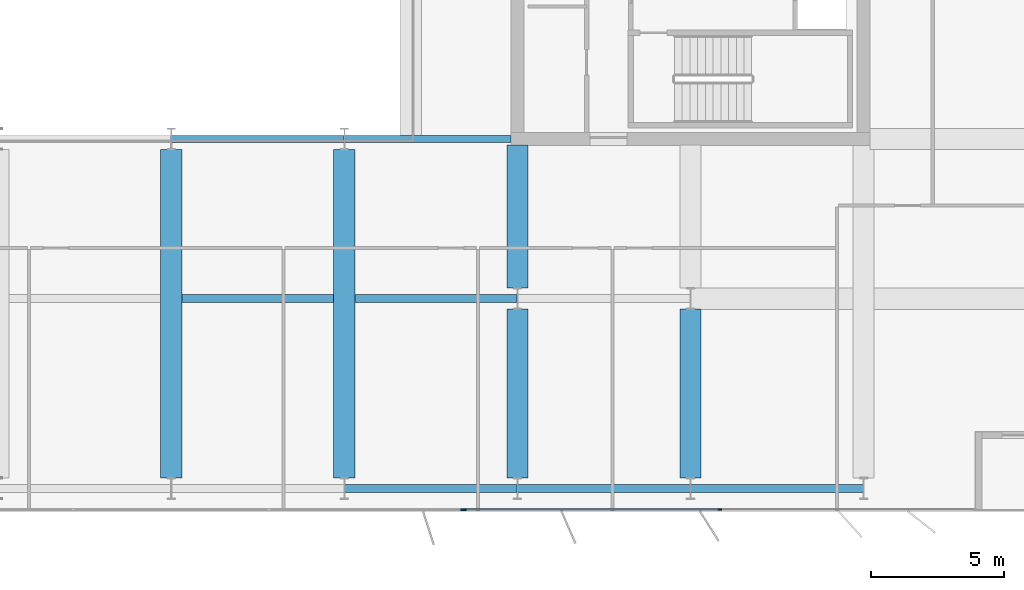
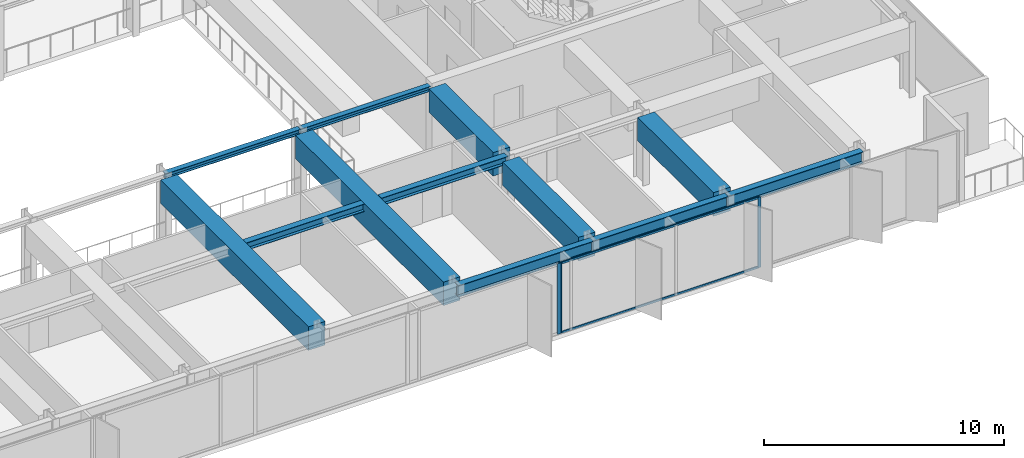
# One storey, part 7 of 24: 12 beams, 5 members, 2 elements without a shape of their own.
"""IFC4 building model written with IfcOpenShell, lengths in metres."""

from ifc_helpers import new_model, si_unit, direction, frame, origin, origin_2d, place, context, subcontext, project, spatial, rectangle, i_section, extrude, material, layer, layer_set, material_profile, profile_set, type_object, element, aggregate, save


model = new_model("IFC4")

# Units and contexts
model_context = context("Model", 3, precision=1e-05, world=origin(), true_north=direction((0.0, 1.0)))
body_context = subcontext(model_context, "Body", "Model", "MODEL_VIEW")
ifc_project = project(units=[si_unit("LENGTHUNIT", "METRE"), si_unit("AREAUNIT", "SQUARE_METRE"), si_unit("VOLUMEUNIT", "CUBIC_METRE"), si_unit("PLANEANGLEUNIT", "RADIAN"), si_unit("MASSUNIT", "GRAM", prefix="KILO")], contexts=[model_context])

# Site, building, storey
site_placement = place(None, origin())
site = spatial("IfcSite", under=ifc_project, at=site_placement, CompositionType="ELEMENT")
building_placement = place(site_placement, origin())
building = spatial("IfcBuilding", under=site, at=building_placement, Name="Putna Gate Headquarters", CompositionType="ELEMENT")
storey_placement = place(building_placement, frame((0.0, 0.0, 251.800048828125)))
storey = spatial("IfcBuildingStorey", under=building, at=storey_placement, Name="L63", CompositionType="ELEMENT", Elevation=251.800048828125)

# Beams
ifc_material_1 = material(Name="Steel S355J2", Category="steel")
ifc_material_profile_1 = material_profile(ifc_material_1, i_section(OverallWidth=0.260009765625, OverallDepth=0.260009765625, WebThickness=0.010009765625, FlangeThickness=0.017578125, at=origin_2d()), Name="Steel S355J2")
ifc_profile_set_1 = profile_set([ifc_material_profile_1], Name="Steel S355J2")
beam_type_1 = type_object("IfcBeamType", Name="BM-ATRIUM-HEB260", PredefinedType="BEAM", material=ifc_profile_set_1)
beam_1_placement = place(storey_placement, frame((39.006103515625, 19.0, 3.4580078125), z_axis=(1.0, 0.0, 0.0), x_axis=(0.0, 1.0, 0.0)))
element("IfcBeam", 1, at=beam_1_placement, inside=storey, type_object=beam_type_1, Name="L63 Atrium Edge Beam AS3", PredefinedType="BEAM", context=body_context, shape_type="SweptSolid", body=[
    extrude(i_section(OverallWidth=0.260009765625, OverallDepth=0.260009765625, WebThickness=0.010009765625, FlangeThickness=0.017578125, at=origin_2d()), origin(), (0.0, 0.0, 1.0), 6.48779296875),
])
beam_2_placement = place(storey_placement, frame((45.506103515625, 19.0, 3.4580078125), z_axis=(1.0, 0.0, 0.0), x_axis=(0.0, 1.0, 0.0)))
element("IfcBeam", 2, at=beam_2_placement, inside=storey, type_object=beam_type_1, Name="L63 Atrium Edge Beam AS4", PredefinedType="BEAM", context=body_context, shape_type="SweptSolid", body=[
    extrude(i_section(OverallWidth=0.260009765625, OverallDepth=0.260009765625, WebThickness=0.010009765625, FlangeThickness=0.017578125, at=origin_2d()), origin(), (0.0, 0.0, 1.0), 6.2587890625),
])
ifc_material_profile_2 = material_profile(ifc_material_1, i_section(OverallWidth=0.300048828125, OverallDepth=0.389892578125, WebThickness=0.010986328125, FlangeThickness=0.01904296875, at=origin_2d()), Name="Steel S355J2")
ifc_profile_set_2 = profile_set([ifc_material_profile_2], Name="Steel S355J2")
beam_type_2 = type_object("IfcBeamType", Name="BM-SEC-Z5-HEA400", PredefinedType="BEAM", material=ifc_profile_set_2)
beam_3_placement = place(storey_placement, frame((39.404052734375, 13.0, 3.39306640625), z_axis=(1.0, 0.0, 0.0), x_axis=(0.0, 1.0, 0.0)))
element("IfcBeam", 3, at=beam_3_placement, inside=storey, type_object=beam_type_2, Name="L63 South Secondary Beam 5", PredefinedType="BEAM", context=body_context, shape_type="SweptSolid", body=[
    extrude(i_section(OverallWidth=0.300048828125, OverallDepth=0.389892578125, WebThickness=0.010986328125, FlangeThickness=0.01904296875, at=origin_2d()), origin(), (0.0, 0.0, 1.0), 5.69189453125),
])
beam_4_placement = place(storey_placement, frame((45.904052734375, 13.0, 3.39306640625), z_axis=(1.0, 0.0, 0.0), x_axis=(0.0, 1.0, 0.0)))
element("IfcBeam", 4, at=beam_4_placement, inside=storey, type_object=beam_type_2, Name="L63 South Secondary Beam 6", PredefinedType="BEAM", context=body_context, shape_type="SweptSolid", body=[
    extrude(i_section(OverallWidth=0.300048828125, OverallDepth=0.389892578125, WebThickness=0.010986328125, FlangeThickness=0.01904296875, at=origin_2d()), origin(), (0.0, 0.0, 1.0), 6.08984375),
])
ifc_material_profile_3 = material_profile(ifc_material_1, i_section(OverallWidth=0.300048828125, OverallDepth=0.590087890625, WebThickness=0.012939453125, FlangeThickness=0.02490234375, at=origin_2d()), Name="Steel S355J2")
ifc_profile_set_3 = profile_set([ifc_material_profile_3], Name="Steel S355J2")
beam_type_3 = type_object("IfcBeamType", Name="BM-SPAN-Z4-HEA600", PredefinedType="SPANDREL", material=ifc_profile_set_3)
for number, where, z_axis, x_axis, name in (
    (5, (45.506103515625, 5.8798828125, 3.29296875), (1.0, 0.0, 0.0), (0.0, 1.0, 0.0), "L63 S Perimeter Spandrel 6"),
    (6, (52.006103515625, 5.8798828125, 3.29296875), (1.0, 0.0, 0.0), (0.0, 1.0, 0.0), "L63 S Perimeter Spandrel 7"),
    (7, (58.506103515625, 5.8798828125, 3.29296875), (1.0, 0.0, 0.0), (0.0, 1.0, 0.0), "L63 S Perimeter Spandrel 8"),
):
    element("IfcBeam", number, at=place(storey_placement, frame(where, z_axis=z_axis, x_axis=x_axis)), inside=storey, type_object=beam_type_3, Name=name, PredefinedType="SPANDREL", context=body_context, shape_type="SweptSolid", body=[
        extrude(i_section(OverallWidth=0.300048828125, OverallDepth=0.590087890625, WebThickness=0.012939453125, FlangeThickness=0.02490234375, at=origin_2d()), origin(), (0.0, 0.0, 1.0), 6.48779296875),
    ])
ifc_material_2 = material(Name="Concrete C50/60", Category="concrete")
ifc_material_profile_4 = material_profile(ifc_material_2, rectangle(XDim=0.800048828125, YDim=1.199951171875, at=origin_2d()), Name="Concrete C50/60")
ifc_profile_set_4 = profile_set([ifc_material_profile_4], Name="Concrete C50/60")
beam_type_4 = type_object("IfcBeamType", Name="BM-TG-RC1200", PredefinedType="USERDEFINED", material=ifc_profile_set_4)
for number, where, z_axis, x_axis, name in (
    (8, (39.0, 6.27490234375, 2.988037109375), (0.0, 1.0, 0.0), (-1.0, 0.0, 0.0), "L63 South Primary Girder X39"),
    (9, (45.5, 6.27490234375, 2.988037109375), (0.0, 1.0, 0.0), (-1.0, 0.0, 0.0), "L63 South Primary Girder X45"),
):
    element("IfcBeam", number, at=place(storey_placement, frame(where, z_axis=z_axis, x_axis=x_axis)), inside=storey, type_object=beam_type_4, Name=name, ObjectType="GIRDER", PredefinedType="USERDEFINED", context=body_context, shape_type="SweptSolid", body=[
        extrude(rectangle(XDim=0.800048828125, YDim=1.199951171875, at=origin_2d()), origin(), (0.0, 0.0, 1.0), 12.330078125),
    ])
beam_5_placement = place(storey_placement, frame((52.0, 6.27490234375, 2.988037109375), z_axis=(0.0, 1.0, 0.0), x_axis=(-1.0, 0.0, 0.0)))
element("IfcBeam", 10, at=beam_5_placement, inside=storey, type_object=beam_type_4, Name="L63 South Primary Girder X52-1", ObjectType="GIRDER", PredefinedType="USERDEFINED", context=body_context, shape_type="SweptSolid", body=[
    extrude(rectangle(XDim=0.800048828125, YDim=1.199951171875, at=origin_2d()), origin(), (0.0, 0.0, 1.0), 6.330078125),
])
beam_6_placement = place(storey_placement, frame((52.0, 13.39501953125, 2.988037109375), z_axis=(0.0, 1.0, 0.0), x_axis=(-1.0, 0.0, 0.0)))
element("IfcBeam", 11, at=beam_6_placement, inside=storey, type_object=beam_type_4, Name="L63 South Primary Girder X52-2", ObjectType="GIRDER", PredefinedType="USERDEFINED", context=body_context, shape_type="SweptSolid", body=[
    extrude(rectangle(XDim=0.800048828125, YDim=1.199951171875, at=origin_2d()), origin(), (0.0, 0.0, 1.0), 5.369873046875),
])
beam_7_placement = place(storey_placement, frame((58.5, 6.27490234375, 2.988037109375), z_axis=(0.0, 1.0, 0.0), x_axis=(-1.0, 0.0, 0.0)))
element("IfcBeam", 12, at=beam_7_placement, inside=storey, type_object=beam_type_4, Name="L63 South Primary Girder X58-1", ObjectType="GIRDER", PredefinedType="USERDEFINED", context=body_context, shape_type="SweptSolid", body=[
    extrude(rectangle(XDim=0.800048828125, YDim=1.199951171875, at=origin_2d()), origin(), (0.0, 0.0, 1.0), 6.330078125),
])

# Curtain wall, members
ifc_material_3 = material(Name="Anodised bronze aluminium curtain wall", Category="aluminium")
ifc_layer_1 = layer(ifc_material_3, 0.139892578125)
ifc_layer_set_1 = layer_set([ifc_layer_1], Name="Anodised bronze aluminium curtain wall")
curtain_wall_type_1 = type_object("IfcCurtainWallType", Name="CW-SYS-Z4", PredefinedType="USERDEFINED", material=ifc_layer_set_1)
curtain_wall_1_placement = place(storey_placement, origin())
curtain_wall_1 = element("IfcCurtainWall", 13, at=curtain_wall_1_placement, inside=storey, type_object=curtain_wall_type_1, Name="L63 South East Curtain Wall", ObjectType="STICK CURTAIN WALL", PredefinedType="USERDEFINED")
ifc_material_4 = material(Name="Anodised bronze aluminium EN AW-6060", Category="aluminium")
ifc_material_profile_5 = material_profile(ifc_material_4, rectangle(XDim=0.06005859375, YDim=0.139892578125, at=origin_2d()), Name="Anodised bronze aluminium EN AW-6060")
ifc_profile_set_5 = profile_set([ifc_material_profile_5], Name="Anodised bronze aluminium EN AW-6060")
member_type_1 = type_object("IfcMemberType", Name="MULL-CWM-4", PredefinedType="MULLION", material=ifc_profile_set_5)
member_1_placement = place(storey_placement, frame((50.030029296875, 5.080078125, 0.0), z_axis=(0.0, 0.0, 1.0), x_axis=(0.0, 1.0, 0.0)))
member_1 = element("IfcMember", 14, at=member_1_placement, type_object=member_type_1, Name="CWS-4 mullion 1", PredefinedType="MULLION", context=body_context, shape_type="SweptSolid", body=[
    extrude(rectangle(XDim=0.06005859375, YDim=0.139892578125, at=origin_2d()), origin(), (0.0, 0.0, 1.0), 3.587890625),
])
member_2_placement = place(storey_placement, frame((59.60009765625, 5.080078125, 0.0), z_axis=(0.0, 0.0, 1.0), x_axis=(0.0, 1.0, 0.0)))
member_2 = element("IfcMember", 15, at=member_2_placement, type_object=member_type_1, Name="CWS-4 mullion 2", PredefinedType="MULLION", context=body_context, shape_type="SweptSolid", body=[
    extrude(rectangle(XDim=0.06005859375, YDim=0.139892578125, at=origin_2d()), origin(), (0.0, 0.0, 1.0), 3.587890625),
])

# Curtain wall, member
ifc_layer_2 = layer(ifc_material_3, 0.179931640625)
ifc_layer_set_2 = layer_set([ifc_layer_2], Name="Anodised bronze aluminium curtain wall")
curtain_wall_type_2 = type_object("IfcCurtainWallType", Name="CW-SYS-ATR", PredefinedType="USERDEFINED", material=ifc_layer_set_2)
curtain_wall_2_placement = place(storey_placement, origin())
curtain_wall_2 = element("IfcCurtainWall", 16, at=curtain_wall_2_placement, inside=storey, type_object=curtain_wall_type_2, Name="L63 South Atrium Clear Glazing", ObjectType="ATRIUM GLAZING", PredefinedType="USERDEFINED")
ifc_material_profile_6 = material_profile(ifc_material_4, rectangle(XDim=0.070068359375, YDim=0.179931640625, at=origin_2d()), Name="Anodised bronze aluminium EN AW-6060")
ifc_profile_set_6 = profile_set([ifc_material_profile_6], Name="Anodised bronze aluminium EN AW-6060")
member_type_2 = type_object("IfcMemberType", Name="MULL-CWM-AT", PredefinedType="MULLION", material=ifc_profile_set_6)
member_3_placement = place(storey_placement, frame((49.965087890625, 5.080078125, 0.0), z_axis=(0.0, 0.0, 1.0), x_axis=(0.0, 1.0, 0.0)))
member_3 = element("IfcMember", 17, at=member_3_placement, type_object=member_type_2, Name="CWS-AT mullion 4", PredefinedType="MULLION", context=body_context, shape_type="SweptSolid", body=[
    extrude(rectangle(XDim=0.070068359375, YDim=0.179931640625, at=origin_2d()), origin(), (0.0, 0.0, 1.0), 3.587890625),
])
aggregate(curtain_wall_2, [member_3])

# Member
ifc_material_profile_7 = material_profile(ifc_material_4, rectangle(XDim=0.06005859375, YDim=0.10009765625, at=origin_2d()), Name="Anodised bronze aluminium EN AW-6060")
ifc_profile_set_7 = profile_set([ifc_material_profile_7], Name="Anodised bronze aluminium EN AW-6060")
member_type_3 = type_object("IfcMemberType", Name="TRAN-CWT-4", PredefinedType="USERDEFINED", material=ifc_profile_set_7)
member_4_placement = place(storey_placement, frame((50.06005859375, 5.080078125, 0.030029296875), z_axis=(1.0, 0.0, 0.0), x_axis=(0.0, 1.0, 0.0)))
member_4 = element("IfcMember", 18, at=member_4_placement, type_object=member_type_3, Name="CWS-4 transom 1.1", ObjectType="TRANSOM", PredefinedType="USERDEFINED", context=body_context, shape_type="SweptSolid", body=[
    extrude(rectangle(XDim=0.06005859375, YDim=0.10009765625, at=origin_2d()), origin(), (0.0, 0.0, 1.0), 9.510009765625),
])

member_5_placement = place(storey_placement, frame((50.06005859375, 5.080078125, 3.557861328125), z_axis=(1.0, 0.0, 0.0), x_axis=(0.0, 1.0, 0.0)))
member_5 = element("IfcMember", 19, at=member_5_placement, type_object=member_type_3, Name="CWS-4 transom 1.2", ObjectType="TRANSOM", PredefinedType="USERDEFINED", context=body_context, shape_type="SweptSolid", body=[
    extrude(rectangle(XDim=0.06005859375, YDim=0.10009765625, at=origin_2d()), origin(), (0.0, 0.0, 1.0), 9.510009765625),
])

aggregate(curtain_wall_1, [member_1, member_2, member_4, member_5])

save(model, "model.ifc")
